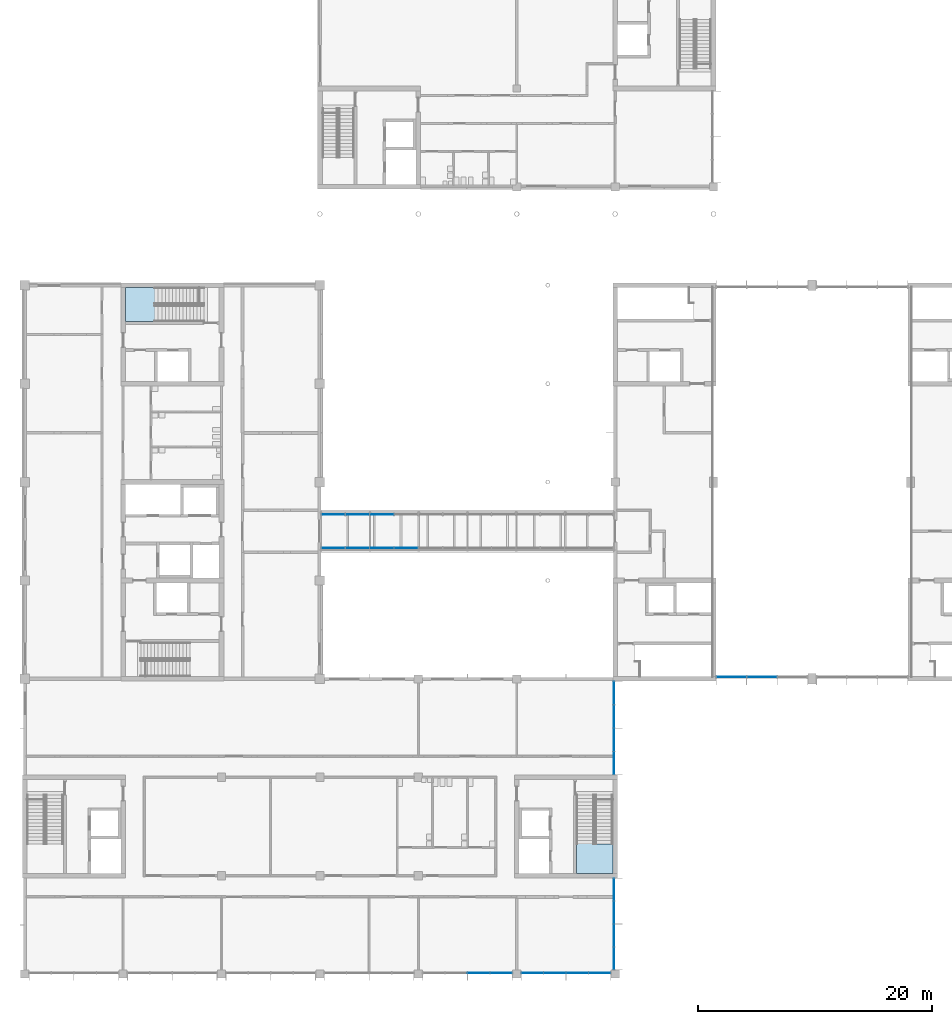
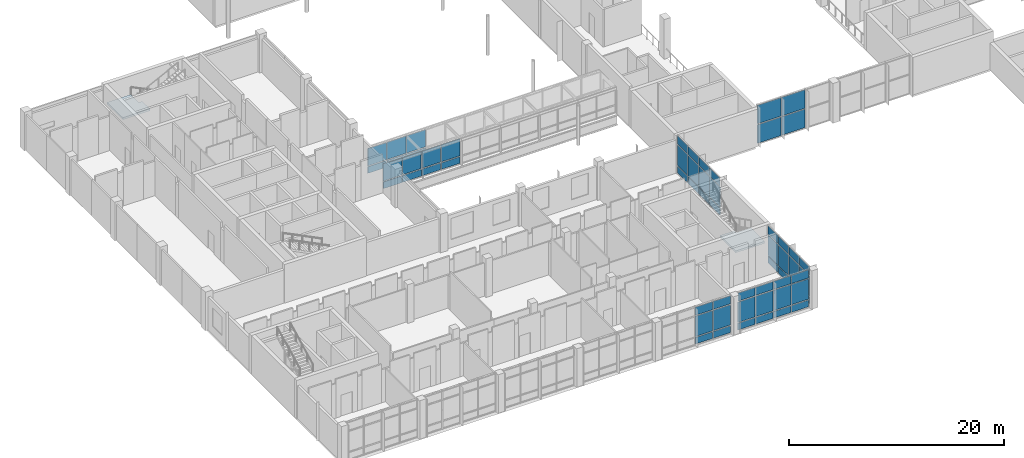
# One storey, part 25 of 70: 60 plates, 2 slabs, 9 elements without a shape of their own.
"""IFC4 building model written with IfcOpenShell, lengths in metres."""

from ifc_helpers import new_model, si_unit, direction, frame, origin, origin_2d, place, context, subcontext, project, spatial, polyline, rectangle, outline, extrude, material, layer, layer_set, type_object, element, aggregate, save


model = new_model("IFC4")

# Units and contexts
model_context = context("Model", 3, precision=1e-05, world=origin(), true_north=direction((0.0, 1.0)))
body_context = subcontext(model_context, "Body", "Model", "MODEL_VIEW")
ifc_project = project(units=[si_unit("LENGTHUNIT", "METRE"), si_unit("AREAUNIT", "SQUARE_METRE"), si_unit("VOLUMEUNIT", "CUBIC_METRE"), si_unit("PLANEANGLEUNIT", "RADIAN"), si_unit("MASSUNIT", "GRAM", prefix="KILO")], contexts=[model_context])

# Site, building, storey
site_placement = place(None, origin())
site = spatial("IfcSite", under=ifc_project, at=site_placement, CompositionType="ELEMENT")
building_placement = place(site_placement, origin())
building = spatial("IfcBuilding", under=site, at=building_placement, Name="Hlaing Beacon Police Headquarters", CompositionType="ELEMENT")
storey_placement = place(building_placement, frame((0.0, 0.0, 5.39990234375)))
storey = spatial("IfcBuildingStorey", under=building, at=storey_placement, Name="L01", CompositionType="ELEMENT", Elevation=5.39990234375)

# Curtain wall, plates
ifc_material_1 = material(Name="Aluminium frame with solar control glazing", Category="aluminium")
curtain_wall_type_1 = type_object("IfcCurtainWallType", Name="Unitised curtain wall 7.70 x 4.37", PredefinedType="NOTDEFINED", material=ifc_material_1)
curtain_wall_1_placement = place(storey_placement, origin())
curtain_wall_1 = element("IfcCurtainWall", 1, at=curtain_wall_1_placement, inside=storey, type_object=curtain_wall_type_1, Name="ENV-CW-L01-S015", PredefinedType="NOTDEFINED")
ifc_material_2 = material(Name="Solar control glazing", Category="glass")
ifc_layer_1 = layer(ifc_material_2, 0.02392578125)
ifc_layer_set_1 = layer_set([ifc_layer_1], Name="Solar control glazing")
plate_type_1 = type_object("IfcPlateType", Name="Clear glazing panel 24", PredefinedType="CURTAIN_PANEL", material=ifc_layer_set_1)
plate_1_placement = place(storey_placement, frame((47.16259765625, 8.5, 3.35009765625), z_axis=(0.0, 0.0, 1.0), x_axis=(1.0, 0.0, 0.0)))
plate_1 = element("IfcPlate", 2, at=plate_1_placement, type_object=plate_type_1, Name="CW-L01-S015 panel 3.3", PredefinedType="CURTAIN_PANEL", context=body_context, shape_type="SweptSolid", body=[
    extrude(rectangle(XDim=1.864990234375, YDim=0.02392578125, at=origin_2d()), origin(), (0.0, 0.0, 1.0), 0.919921875),
])
plate_2_placement = place(storey_placement, frame((49.072509765625, 8.5, 3.35009765625), z_axis=(0.0, 0.0, 1.0), x_axis=(1.0, 0.0, 0.0)))
plate_2 = element("IfcPlate", 3, at=plate_2_placement, type_object=plate_type_1, Name="CW-L01-S015 panel 4.3", PredefinedType="CURTAIN_PANEL", context=body_context, shape_type="SweptSolid", body=[
    extrude(rectangle(XDim=1.8349609375, YDim=0.02392578125, at=origin_2d()), origin(), (0.0, 0.0, 1.0), 0.919921875),
])

curtain_wall_2_placement = place(storey_placement, origin())
curtain_wall_2 = element("IfcCurtainWall", 4, at=curtain_wall_2_placement, inside=storey, type_object=curtain_wall_type_1, Name="ENV-CW-L01-S016", PredefinedType="NOTDEFINED")
plate_3_placement = place(storey_placement, frame((51.7275390625, 8.5, 3.35009765625), z_axis=(0.0, 0.0, 1.0), x_axis=(1.0, 0.0, 0.0)))
plate_3 = element("IfcPlate", 5, at=plate_3_placement, type_object=plate_type_1, Name="CW-L01-S016 panel 1.3", PredefinedType="CURTAIN_PANEL", context=body_context, shape_type="SweptSolid", body=[
    extrude(rectangle(XDim=1.8349609375, YDim=0.02392578125, at=origin_2d()), origin(), (0.0, 0.0, 1.0), 0.919921875),
])
plate_4_placement = place(storey_placement, frame((53.637451171875, 8.5, 3.35009765625), z_axis=(0.0, 0.0, 1.0), x_axis=(1.0, 0.0, 0.0)))
plate_4 = element("IfcPlate", 6, at=plate_4_placement, type_object=plate_type_1, Name="CW-L01-S016 panel 2.3", PredefinedType="CURTAIN_PANEL", context=body_context, shape_type="SweptSolid", body=[
    extrude(rectangle(XDim=1.864990234375, YDim=0.02392578125, at=origin_2d()), origin(), (0.0, 0.0, 1.0), 0.919921875),
])
plate_5_placement = place(storey_placement, frame((55.5625, 8.5, 3.35009765625), z_axis=(0.0, 0.0, 1.0), x_axis=(1.0, 0.0, 0.0)))
plate_5 = element("IfcPlate", 7, at=plate_5_placement, type_object=plate_type_1, Name="CW-L01-S016 panel 3.3", PredefinedType="CURTAIN_PANEL", context=body_context, shape_type="SweptSolid", body=[
    extrude(rectangle(XDim=1.864990234375, YDim=0.02392578125, at=origin_2d()), origin(), (0.0, 0.0, 1.0), 0.919921875),
])
plate_6_placement = place(storey_placement, frame((57.472412109375, 8.5, 3.35009765625), z_axis=(0.0, 0.0, 1.0), x_axis=(1.0, 0.0, 0.0)))
plate_6 = element("IfcPlate", 8, at=plate_6_placement, type_object=plate_type_1, Name="CW-L01-S016 panel 4.3", PredefinedType="CURTAIN_PANEL", context=body_context, shape_type="SweptSolid", body=[
    extrude(rectangle(XDim=1.8349609375, YDim=0.02392578125, at=origin_2d()), origin(), (0.0, 0.0, 1.0), 0.919921875),
])

ifc_material_3 = material(Name="Aluminium frame with solar control glazing", Category="aluminium")
curtain_wall_type_2 = type_object("IfcCurtainWallType", Name="Unitised curtain wall 7.85 x 4.37", PredefinedType="NOTDEFINED", material=ifc_material_3)
curtain_wall_3_placement = place(storey_placement, origin())
curtain_wall_3 = element("IfcCurtainWall", 9, at=curtain_wall_3_placement, inside=storey, type_object=curtain_wall_type_2, Name="ENV-CW-L01-E017", PredefinedType="NOTDEFINED")
plate_7_placement = place(storey_placement, frame((58.699951171875, 9.746337890625, 3.35009765625), z_axis=(0.0, 0.0, 1.0), x_axis=(0.0, 1.0, 0.0)))
plate_7 = element("IfcPlate", 10, at=plate_7_placement, type_object=plate_type_1, Name="CW-L01-E017 panel 1.3", PredefinedType="CURTAIN_PANEL", context=body_context, shape_type="SweptSolid", body=[
    extrude(rectangle(XDim=1.87255859375, YDim=0.02392578125, at=origin_2d()), origin(), (0.0, 0.0, 1.0), 0.919921875),
])
plate_8_placement = place(storey_placement, frame((58.699951171875, 11.69384765625, 3.35009765625), z_axis=(0.0, 0.0, 1.0), x_axis=(0.0, 1.0, 0.0)))
plate_8 = element("IfcPlate", 11, at=plate_8_placement, type_object=plate_type_1, Name="CW-L01-E017 panel 2.3", PredefinedType="CURTAIN_PANEL", context=body_context, shape_type="SweptSolid", body=[
    extrude(rectangle(XDim=1.902587890625, YDim=0.02392578125, at=origin_2d()), origin(), (0.0, 0.0, 1.0), 0.919921875),
])
plate_9_placement = place(storey_placement, frame((58.699951171875, 13.65625, 3.35009765625), z_axis=(0.0, 0.0, 1.0), x_axis=(0.0, 1.0, 0.0)))
plate_9 = element("IfcPlate", 12, at=plate_9_placement, type_object=plate_type_1, Name="CW-L01-E017 panel 3.3", PredefinedType="CURTAIN_PANEL", context=body_context, shape_type="SweptSolid", body=[
    extrude(rectangle(XDim=1.902587890625, YDim=0.02392578125, at=origin_2d()), origin(), (0.0, 0.0, 1.0), 0.919921875),
])
plate_10_placement = place(storey_placement, frame((58.699951171875, 15.603759765625, 3.35009765625), z_axis=(0.0, 0.0, 1.0), x_axis=(0.0, 1.0, 0.0)))
plate_10 = element("IfcPlate", 13, at=plate_10_placement, type_object=plate_type_1, Name="CW-L01-E017 panel 4.3", PredefinedType="CURTAIN_PANEL", context=body_context, shape_type="SweptSolid", body=[
    extrude(rectangle(XDim=1.87255859375, YDim=0.02392578125, at=origin_2d()), origin(), (0.0, 0.0, 1.0), 0.919921875),
])

ifc_material_4 = material(Name="Aluminium frame with solar control glazing", Category="aluminium")
curtain_wall_type_3 = type_object("IfcCurtainWallType", Name="Unitised curtain wall 8.00 x 4.37", PredefinedType="NOTDEFINED", material=ifc_material_4)
curtain_wall_4_placement = place(storey_placement, origin())
curtain_wall_4 = element("IfcCurtainWall", 14, at=curtain_wall_4_placement, inside=storey, type_object=curtain_wall_type_3, Name="ENV-CW-L01-E018", PredefinedType="NOTDEFINED")
plate_11_placement = place(storey_placement, frame((58.699951171875, 26.4150390625, 3.35009765625), z_axis=(0.0, 0.0, 1.0), x_axis=(0.0, 1.0, 0.0)))
plate_11 = element("IfcPlate", 15, at=plate_11_placement, type_object=plate_type_1, Name="CW-L01-E018 panel 1.3", PredefinedType="CURTAIN_PANEL", context=body_context, shape_type="SweptSolid", body=[
    extrude(rectangle(XDim=1.909912109375, YDim=0.02392578125, at=origin_2d()), origin(), (0.0, 0.0, 1.0), 0.919921875),
])
plate_12_placement = place(storey_placement, frame((58.699951171875, 28.39990234375, 3.35009765625), z_axis=(0.0, 0.0, 1.0), x_axis=(0.0, 1.0, 0.0)))
plate_12 = element("IfcPlate", 16, at=plate_12_placement, type_object=plate_type_1, Name="CW-L01-E018 panel 2.3", PredefinedType="CURTAIN_PANEL", context=body_context, shape_type="SweptSolid", body=[
    extrude(rectangle(XDim=1.93994140625, YDim=0.02392578125, at=origin_2d()), origin(), (0.0, 0.0, 1.0), 0.919921875),
])
plate_13_placement = place(storey_placement, frame((58.699951171875, 30.39990234375, 3.35009765625), z_axis=(0.0, 0.0, 1.0), x_axis=(0.0, 1.0, 0.0)))
plate_13 = element("IfcPlate", 17, at=plate_13_placement, type_object=plate_type_1, Name="CW-L01-E018 panel 3.3", PredefinedType="CURTAIN_PANEL", context=body_context, shape_type="SweptSolid", body=[
    extrude(rectangle(XDim=1.93994140625, YDim=0.02392578125, at=origin_2d()), origin(), (0.0, 0.0, 1.0), 0.919921875),
])
plate_14_placement = place(storey_placement, frame((58.699951171875, 32.385009765625, 3.35009765625), z_axis=(0.0, 0.0, 1.0), x_axis=(0.0, 1.0, 0.0)))
plate_14 = element("IfcPlate", 18, at=plate_14_placement, type_object=plate_type_1, Name="CW-L01-E018 panel 4.3", PredefinedType="CURTAIN_PANEL", context=body_context, shape_type="SweptSolid", body=[
    extrude(rectangle(XDim=1.909912109375, YDim=0.02392578125, at=origin_2d()), origin(), (0.0, 0.0, 1.0), 0.919921875),
])

# Plate
ifc_material_5 = material(Name="Solar control glazing", Category="glass")
ifc_layer_2 = layer(ifc_material_5, 0.0439453125)
ifc_layer_set_2 = layer_set([ifc_layer_2], Name="Solar control glazing")
plate_type_2 = type_object("IfcPlateType", Name="Clear glazing panel 44", PredefinedType="CURTAIN_PANEL", material=ifc_layer_set_2)
plate_15_placement = place(storey_placement, frame((47.16259765625, 8.5, 0.9501953125), z_axis=(0.0, 0.0, 1.0), x_axis=(1.0, 0.0, 0.0)))
plate_15 = element("IfcPlate", 19, at=plate_15_placement, type_object=plate_type_2, Name="CW-L01-S015 panel 3.2", PredefinedType="CURTAIN_PANEL", context=body_context, shape_type="SweptSolid", body=[
    extrude(rectangle(XDim=1.864990234375, YDim=0.0439453125, at=origin_2d()), origin(), (0.0, 0.0, 1.0), 2.300048828125),
])

plate_16_placement = place(storey_placement, frame((49.072509765625, 8.5, 0.9501953125), z_axis=(0.0, 0.0, 1.0), x_axis=(1.0, 0.0, 0.0)))
plate_16 = element("IfcPlate", 20, at=plate_16_placement, type_object=plate_type_2, Name="CW-L01-S015 panel 4.2", PredefinedType="CURTAIN_PANEL", context=body_context, shape_type="SweptSolid", body=[
    extrude(rectangle(XDim=1.8349609375, YDim=0.0439453125, at=origin_2d()), origin(), (0.0, 0.0, 1.0), 2.300048828125),
])

plate_17_placement = place(storey_placement, frame((51.7275390625, 8.5, 0.9501953125), z_axis=(0.0, 0.0, 1.0), x_axis=(1.0, 0.0, 0.0)))
plate_17 = element("IfcPlate", 21, at=plate_17_placement, type_object=plate_type_2, Name="CW-L01-S016 panel 1.2", PredefinedType="CURTAIN_PANEL", context=body_context, shape_type="SweptSolid", body=[
    extrude(rectangle(XDim=1.8349609375, YDim=0.0439453125, at=origin_2d()), origin(), (0.0, 0.0, 1.0), 2.300048828125),
])

plate_18_placement = place(storey_placement, frame((53.637451171875, 8.5, 0.9501953125), z_axis=(0.0, 0.0, 1.0), x_axis=(1.0, 0.0, 0.0)))
plate_18 = element("IfcPlate", 22, at=plate_18_placement, type_object=plate_type_2, Name="CW-L01-S016 panel 2.2", PredefinedType="CURTAIN_PANEL", context=body_context, shape_type="SweptSolid", body=[
    extrude(rectangle(XDim=1.864990234375, YDim=0.0439453125, at=origin_2d()), origin(), (0.0, 0.0, 1.0), 2.300048828125),
])

plate_19_placement = place(storey_placement, frame((55.5625, 8.5, 0.9501953125), z_axis=(0.0, 0.0, 1.0), x_axis=(1.0, 0.0, 0.0)))
plate_19 = element("IfcPlate", 23, at=plate_19_placement, type_object=plate_type_2, Name="CW-L01-S016 panel 3.2", PredefinedType="CURTAIN_PANEL", context=body_context, shape_type="SweptSolid", body=[
    extrude(rectangle(XDim=1.864990234375, YDim=0.0439453125, at=origin_2d()), origin(), (0.0, 0.0, 1.0), 2.300048828125),
])

plate_20_placement = place(storey_placement, frame((57.472412109375, 8.5, 0.9501953125), z_axis=(0.0, 0.0, 1.0), x_axis=(1.0, 0.0, 0.0)))
plate_20 = element("IfcPlate", 24, at=plate_20_placement, type_object=plate_type_2, Name="CW-L01-S016 panel 4.2", PredefinedType="CURTAIN_PANEL", context=body_context, shape_type="SweptSolid", body=[
    extrude(rectangle(XDim=1.8349609375, YDim=0.0439453125, at=origin_2d()), origin(), (0.0, 0.0, 1.0), 2.300048828125),
])

plate_21_placement = place(storey_placement, frame((58.699951171875, 9.746337890625, 0.9501953125), z_axis=(0.0, 0.0, 1.0), x_axis=(0.0, 1.0, 0.0)))
plate_21 = element("IfcPlate", 25, at=plate_21_placement, type_object=plate_type_2, Name="CW-L01-E017 panel 1.2", PredefinedType="CURTAIN_PANEL", context=body_context, shape_type="SweptSolid", body=[
    extrude(rectangle(XDim=1.87255859375, YDim=0.0439453125, at=origin_2d()), origin(), (0.0, 0.0, 1.0), 2.300048828125),
])

plate_22_placement = place(storey_placement, frame((58.699951171875, 11.69384765625, 0.9501953125), z_axis=(0.0, 0.0, 1.0), x_axis=(0.0, 1.0, 0.0)))
plate_22 = element("IfcPlate", 26, at=plate_22_placement, type_object=plate_type_2, Name="CW-L01-E017 panel 2.2", PredefinedType="CURTAIN_PANEL", context=body_context, shape_type="SweptSolid", body=[
    extrude(rectangle(XDim=1.902587890625, YDim=0.0439453125, at=origin_2d()), origin(), (0.0, 0.0, 1.0), 2.300048828125),
])

plate_23_placement = place(storey_placement, frame((58.699951171875, 13.65625, 0.9501953125), z_axis=(0.0, 0.0, 1.0), x_axis=(0.0, 1.0, 0.0)))
plate_23 = element("IfcPlate", 27, at=plate_23_placement, type_object=plate_type_2, Name="CW-L01-E017 panel 3.2", PredefinedType="CURTAIN_PANEL", context=body_context, shape_type="SweptSolid", body=[
    extrude(rectangle(XDim=1.902587890625, YDim=0.0439453125, at=origin_2d()), origin(), (0.0, 0.0, 1.0), 2.300048828125),
])

plate_24_placement = place(storey_placement, frame((58.699951171875, 15.603759765625, 0.9501953125), z_axis=(0.0, 0.0, 1.0), x_axis=(0.0, 1.0, 0.0)))
plate_24 = element("IfcPlate", 28, at=plate_24_placement, type_object=plate_type_2, Name="CW-L01-E017 panel 4.2", PredefinedType="CURTAIN_PANEL", context=body_context, shape_type="SweptSolid", body=[
    extrude(rectangle(XDim=1.87255859375, YDim=0.0439453125, at=origin_2d()), origin(), (0.0, 0.0, 1.0), 2.300048828125),
])

plate_25_placement = place(storey_placement, frame((58.699951171875, 26.4150390625, 0.9501953125), z_axis=(0.0, 0.0, 1.0), x_axis=(0.0, 1.0, 0.0)))
plate_25 = element("IfcPlate", 29, at=plate_25_placement, type_object=plate_type_2, Name="CW-L01-E018 panel 1.2", PredefinedType="CURTAIN_PANEL", context=body_context, shape_type="SweptSolid", body=[
    extrude(rectangle(XDim=1.909912109375, YDim=0.0439453125, at=origin_2d()), origin(), (0.0, 0.0, 1.0), 2.300048828125),
])

plate_26_placement = place(storey_placement, frame((58.699951171875, 28.39990234375, 0.9501953125), z_axis=(0.0, 0.0, 1.0), x_axis=(0.0, 1.0, 0.0)))
plate_26 = element("IfcPlate", 30, at=plate_26_placement, type_object=plate_type_2, Name="CW-L01-E018 panel 2.2", PredefinedType="CURTAIN_PANEL", context=body_context, shape_type="SweptSolid", body=[
    extrude(rectangle(XDim=1.93994140625, YDim=0.0439453125, at=origin_2d()), origin(), (0.0, 0.0, 1.0), 2.300048828125),
])

plate_27_placement = place(storey_placement, frame((58.699951171875, 30.39990234375, 0.9501953125), z_axis=(0.0, 0.0, 1.0), x_axis=(0.0, 1.0, 0.0)))
plate_27 = element("IfcPlate", 31, at=plate_27_placement, type_object=plate_type_2, Name="CW-L01-E018 panel 3.2", PredefinedType="CURTAIN_PANEL", context=body_context, shape_type="SweptSolid", body=[
    extrude(rectangle(XDim=1.93994140625, YDim=0.0439453125, at=origin_2d()), origin(), (0.0, 0.0, 1.0), 2.300048828125),
])

plate_28_placement = place(storey_placement, frame((58.699951171875, 32.385009765625, 0.9501953125), z_axis=(0.0, 0.0, 1.0), x_axis=(0.0, 1.0, 0.0)))
plate_28 = element("IfcPlate", 32, at=plate_28_placement, type_object=plate_type_2, Name="CW-L01-E018 panel 4.2", PredefinedType="CURTAIN_PANEL", context=body_context, shape_type="SweptSolid", body=[
    extrude(rectangle(XDim=1.909912109375, YDim=0.0439453125, at=origin_2d()), origin(), (0.0, 0.0, 1.0), 2.300048828125),
])

# Curtain wall, plates
ifc_material_6 = material(Name="Aluminium frame with solar control glazing", Category="aluminium")
curtain_wall_type_4 = type_object("IfcCurtainWallType", Name="Unitised curtain wall 24.98 x 3.00", PredefinedType="NOTDEFINED", material=ifc_material_6)
curtain_wall_5_placement = place(storey_placement, origin())
curtain_wall_5 = element("IfcCurtainWall", 33, at=curtain_wall_5_placement, inside=storey, type_object=curtain_wall_type_4, Name="ENV-BG-BR1-A-32", PredefinedType="NOTDEFINED")
plate_29_placement = place(storey_placement, frame((34.730712890625, 44.776123046875, 0.9501953125), z_axis=(0.0, 0.0, 1.0), x_axis=(1.0, 0.0, 0.0)))
plate_29 = element("IfcPlate", 34, at=plate_29_placement, type_object=plate_type_2, Name="BG-BR1-A-32 panel 1.2", PredefinedType="CURTAIN_PANEL", context=body_context, shape_type="SweptSolid", body=[
    extrude(rectangle(XDim=1.9912109375, YDim=0.0439453125, at=origin_2d()), origin(), (0.0, 0.0, 1.0), 1.949951171875),
])
plate_30_placement = place(storey_placement, frame((36.796875, 44.776123046875, 0.9501953125), z_axis=(0.0, 0.0, 1.0), x_axis=(1.0, 0.0, 0.0)))
plate_30 = element("IfcPlate", 35, at=plate_30_placement, type_object=plate_type_2, Name="BG-BR1-A-32 panel 2.2", PredefinedType="CURTAIN_PANEL", context=body_context, shape_type="SweptSolid", body=[
    extrude(rectangle(XDim=2.021240234375, YDim=0.0439453125, at=origin_2d()), origin(), (0.0, 0.0, 1.0), 1.949951171875),
])
plate_31_placement = place(storey_placement, frame((38.878173828125, 44.776123046875, 0.9501953125), z_axis=(0.0, 0.0, 1.0), x_axis=(1.0, 0.0, 0.0)))
plate_31 = element("IfcPlate", 36, at=plate_31_placement, type_object=plate_type_2, Name="BG-BR1-A-32 panel 3.2", PredefinedType="CURTAIN_PANEL", context=body_context, shape_type="SweptSolid", body=[
    extrude(rectangle(XDim=2.021240234375, YDim=0.0439453125, at=origin_2d()), origin(), (0.0, 0.0, 1.0), 1.949951171875),
])
plate_32_placement = place(storey_placement, frame((40.95947265625, 44.776123046875, 0.9501953125), z_axis=(0.0, 0.0, 1.0), x_axis=(1.0, 0.0, 0.0)))
plate_32 = element("IfcPlate", 37, at=plate_32_placement, type_object=plate_type_2, Name="BG-BR1-A-32 panel 4.2", PredefinedType="CURTAIN_PANEL", context=body_context, shape_type="SweptSolid", body=[
    extrude(rectangle(XDim=2.021240234375, YDim=0.0439453125, at=origin_2d()), origin(), (0.0, 0.0, 1.0), 1.949951171875),
])

curtain_wall_6_placement = place(storey_placement, origin())
curtain_wall_6 = element("IfcCurtainWall", 38, at=curtain_wall_6_placement, inside=storey, type_object=curtain_wall_type_4, Name="ENV-BG-BR1-B-33", PredefinedType="NOTDEFINED")
plate_33_placement = place(storey_placement, frame((34.730712890625, 47.623779296875, 0.9501953125), z_axis=(0.0, 0.0, 1.0), x_axis=(1.0, 0.0, 0.0)))
plate_33 = element("IfcPlate", 39, at=plate_33_placement, type_object=plate_type_2, Name="BG-BR1-B-33 panel 1.2", PredefinedType="CURTAIN_PANEL", context=body_context, shape_type="SweptSolid", body=[
    extrude(rectangle(XDim=1.9912109375, YDim=0.0439453125, at=origin_2d()), origin(), (0.0, 0.0, 1.0), 1.949951171875),
])
plate_34_placement = place(storey_placement, frame((36.796875, 47.623779296875, 0.9501953125), z_axis=(0.0, 0.0, 1.0), x_axis=(1.0, 0.0, 0.0)))
plate_34 = element("IfcPlate", 40, at=plate_34_placement, type_object=plate_type_2, Name="BG-BR1-B-33 panel 2.2", PredefinedType="CURTAIN_PANEL", context=body_context, shape_type="SweptSolid", body=[
    extrude(rectangle(XDim=2.021240234375, YDim=0.0439453125, at=origin_2d()), origin(), (0.0, 0.0, 1.0), 1.949951171875),
])
plate_35_placement = place(storey_placement, frame((38.878173828125, 47.623779296875, 0.9501953125), z_axis=(0.0, 0.0, 1.0), x_axis=(1.0, 0.0, 0.0)))
plate_35 = element("IfcPlate", 41, at=plate_35_placement, type_object=plate_type_2, Name="BG-BR1-B-33 panel 3.2", PredefinedType="CURTAIN_PANEL", context=body_context, shape_type="SweptSolid", body=[
    extrude(rectangle(XDim=2.021240234375, YDim=0.0439453125, at=origin_2d()), origin(), (0.0, 0.0, 1.0), 1.949951171875),
])
ifc_material_7 = material(Name="Insulated aluminium spandrel", Category="aluminium")
ifc_layer_3 = layer(ifc_material_7, 0.0400390625)
ifc_layer_set_3 = layer_set([ifc_layer_3], Name="Insulated aluminium spandrel")
plate_type_3 = type_object("IfcPlateType", Name="Insulated spandrel panel 40", PredefinedType="CURTAIN_PANEL", material=ifc_layer_set_3)
plate_36_placement = place(storey_placement, frame((34.730712890625, 47.623779296875, 0.10009765625), z_axis=(0.0, 0.0, 1.0), x_axis=(1.0, 0.0, 0.0)))
plate_36 = element("IfcPlate", 42, at=plate_36_placement, type_object=plate_type_3, Name="BG-BR1-B-33 panel 1.1", PredefinedType="CURTAIN_PANEL", context=body_context, shape_type="SweptSolid", body=[
    extrude(rectangle(XDim=1.9912109375, YDim=0.0400390625, at=origin_2d()), origin(), (0.0, 0.0, 1.0), 0.75),
])
plate_37_placement = place(storey_placement, frame((36.796875, 47.623779296875, 0.10009765625), z_axis=(0.0, 0.0, 1.0), x_axis=(1.0, 0.0, 0.0)))
plate_37 = element("IfcPlate", 43, at=plate_37_placement, type_object=plate_type_3, Name="BG-BR1-B-33 panel 2.1", PredefinedType="CURTAIN_PANEL", context=body_context, shape_type="SweptSolid", body=[
    extrude(rectangle(XDim=2.021240234375, YDim=0.0400390625, at=origin_2d()), origin(), (0.0, 0.0, 1.0), 0.75),
])
plate_38_placement = place(storey_placement, frame((38.878173828125, 47.623779296875, 0.10009765625), z_axis=(0.0, 0.0, 1.0), x_axis=(1.0, 0.0, 0.0)))
plate_38 = element("IfcPlate", 44, at=plate_38_placement, type_object=plate_type_3, Name="BG-BR1-B-33 panel 3.1", PredefinedType="CURTAIN_PANEL", context=body_context, shape_type="SweptSolid", body=[
    extrude(rectangle(XDim=2.021240234375, YDim=0.0400390625, at=origin_2d()), origin(), (0.0, 0.0, 1.0), 0.75),
])
aggregate(curtain_wall_6, [plate_36, plate_33, plate_37, plate_34, plate_38, plate_35])

# Plate
ifc_material_8 = material(Name="Insulated aluminium spandrel", Category="aluminium")
ifc_layer_4 = layer(ifc_material_8, 0.080078125)
ifc_layer_set_4 = layer_set([ifc_layer_4], Name="Insulated aluminium spandrel")
plate_type_4 = type_object("IfcPlateType", Name="Insulated spandrel panel 80", PredefinedType="CURTAIN_PANEL", material=ifc_layer_set_4)
plate_39_placement = place(storey_placement, frame((34.730712890625, 44.776123046875, 0.10009765625), z_axis=(0.0, 0.0, 1.0), x_axis=(1.0, 0.0, 0.0)))
plate_39 = element("IfcPlate", 45, at=plate_39_placement, type_object=plate_type_4, Name="BG-BR1-A-32 panel 1.1", PredefinedType="CURTAIN_PANEL", context=body_context, shape_type="SweptSolid", body=[
    extrude(rectangle(XDim=1.9912109375, YDim=0.080078125, at=origin_2d()), origin(), (0.0, 0.0, 1.0), 0.75),
])

plate_40_placement = place(storey_placement, frame((36.796875, 44.776123046875, 0.10009765625), z_axis=(0.0, 0.0, 1.0), x_axis=(1.0, 0.0, 0.0)))
plate_40 = element("IfcPlate", 46, at=plate_40_placement, type_object=plate_type_4, Name="BG-BR1-A-32 panel 2.1", PredefinedType="CURTAIN_PANEL", context=body_context, shape_type="SweptSolid", body=[
    extrude(rectangle(XDim=2.021240234375, YDim=0.080078125, at=origin_2d()), origin(), (0.0, 0.0, 1.0), 0.75),
])

plate_41_placement = place(storey_placement, frame((38.878173828125, 44.776123046875, 0.10009765625), z_axis=(0.0, 0.0, 1.0), x_axis=(1.0, 0.0, 0.0)))
plate_41 = element("IfcPlate", 47, at=plate_41_placement, type_object=plate_type_4, Name="BG-BR1-A-32 panel 3.1", PredefinedType="CURTAIN_PANEL", context=body_context, shape_type="SweptSolid", body=[
    extrude(rectangle(XDim=2.021240234375, YDim=0.080078125, at=origin_2d()), origin(), (0.0, 0.0, 1.0), 0.75),
])

plate_42_placement = place(storey_placement, frame((40.95947265625, 44.776123046875, 0.10009765625), z_axis=(0.0, 0.0, 1.0), x_axis=(1.0, 0.0, 0.0)))
plate_42 = element("IfcPlate", 48, at=plate_42_placement, type_object=plate_type_4, Name="BG-BR1-A-32 panel 4.1", PredefinedType="CURTAIN_PANEL", context=body_context, shape_type="SweptSolid", body=[
    extrude(rectangle(XDim=2.021240234375, YDim=0.080078125, at=origin_2d()), origin(), (0.0, 0.0, 1.0), 0.75),
])

aggregate(curtain_wall_5, [plate_39, plate_29, plate_40, plate_30, plate_41, plate_31, plate_42, plate_32])

# Curtain wall, plates
ifc_material_9 = material(Name="Aluminium frame with solar control glazing", Category="aluminium")
curtain_wall_type_5 = type_object("IfcCurtainWallType", Name="Structural glazed gable wall 7.85 x 4.50", PredefinedType="NOTDEFINED", material=ifc_material_9)
curtain_wall_7_placement = place(storey_placement, origin())
curtain_wall_7 = element("IfcCurtainWall", 49, at=curtain_wall_7_placement, inside=storey, type_object=curtain_wall_type_5, Name="ENV-CW-L01-S009", PredefinedType="NOTDEFINED")
ifc_material_10 = material(Name="Laminated solar control glazing", Category="glass")
ifc_layer_5 = layer(ifc_material_10, 0.0439453125)
ifc_layer_set_5 = layer_set([ifc_layer_5], Name="Laminated solar control glazing")
plate_type_5 = type_object("IfcPlateType", Name="Laminated glazing panel 44", PredefinedType="CURTAIN_PANEL", material=ifc_layer_set_5)
plate_43_placement = place(storey_placement, frame((68.728271484375, 33.75, 0.10009765625), z_axis=(0.0, 0.0, 1.0), x_axis=(1.0, 0.0, 0.0)))
plate_43 = element("IfcPlate", 50, at=plate_43_placement, type_object=plate_type_5, Name="CW-L01-S009 panel 1.1", PredefinedType="CURTAIN_PANEL", context=body_context, shape_type="SweptSolid", body=[
    extrude(rectangle(XDim=2.49658203125, YDim=0.0439453125, at=origin_2d()), origin(), (0.0, 0.0, 1.0), 2.10009765625),
])
plate_44_placement = place(storey_placement, frame((68.728271484375, 33.75, 2.300048828125), z_axis=(0.0, 0.0, 1.0), x_axis=(1.0, 0.0, 0.0)))
plate_44 = element("IfcPlate", 51, at=plate_44_placement, type_object=plate_type_5, Name="CW-L01-S009 panel 1.2", PredefinedType="CURTAIN_PANEL", context=body_context, shape_type="SweptSolid", body=[
    extrude(rectangle(XDim=2.49658203125, YDim=0.0439453125, at=origin_2d()), origin(), (0.0, 0.0, 1.0), 2.10009765625),
])
plate_45_placement = place(storey_placement, frame((71.324951171875, 33.75, 0.10009765625), z_axis=(0.0, 0.0, 1.0), x_axis=(1.0, 0.0, 0.0)))
plate_45 = element("IfcPlate", 52, at=plate_45_placement, type_object=plate_type_5, Name="CW-L01-S009 panel 2.1", PredefinedType="CURTAIN_PANEL", context=body_context, shape_type="SweptSolid", body=[
    extrude(rectangle(XDim=2.53662109375, YDim=0.0439453125, at=origin_2d()), origin(), (0.0, 0.0, 1.0), 2.10009765625),
])
plate_46_placement = place(storey_placement, frame((71.324951171875, 33.75, 2.300048828125), z_axis=(0.0, 0.0, 1.0), x_axis=(1.0, 0.0, 0.0)))
plate_46 = element("IfcPlate", 53, at=plate_46_placement, type_object=plate_type_5, Name="CW-L01-S009 panel 2.2", PredefinedType="CURTAIN_PANEL", context=body_context, shape_type="SweptSolid", body=[
    extrude(rectangle(XDim=2.53662109375, YDim=0.0439453125, at=origin_2d()), origin(), (0.0, 0.0, 1.0), 2.10009765625),
])
aggregate(curtain_wall_7, [plate_43, plate_44, plate_45, plate_46])

# Stair, slab
ifc_material_11 = material(Name="Concrete C40/50", Category="concrete")
stair_type_1 = type_object("IfcStairType", Name="Half-turn stair 1500 wide, 4500 rise", PredefinedType="HALF_TURN_STAIR", material=ifc_material_11)
stair_1_placement = place(storey_placement, origin())
stair_1 = element("IfcStair", 54, at=stair_1_placement, inside=storey, type_object=stair_type_1, Name="Stair ST-K", PredefinedType="HALF_TURN_STAIR")
ifc_material_12 = material(Name="Concrete C40/50", Category="concrete")
ifc_layer_6 = layer(ifc_material_12, 0.219970703125)
ifc_layer_set_6 = layer_set([ifc_layer_6], Name="Concrete C40/50")
slab_type = type_object("IfcSlabType", Name="Stair landing 220", PredefinedType="LANDING", material=ifc_layer_set_6)
slab_1_placement = place(storey_placement, frame((0.0, 0.0, 2.030029296875)))
slab_1 = element("IfcSlab", 55, at=slab_1_placement, type_object=slab_type, Name="ST-K landing 1", PredefinedType="LANDING", context=body_context, shape_type="SweptSolid", body=[
    extrude(outline(polyline([(58.60009765625, 19.510009765625), (58.60009765625, 17.0), (55.5, 17.0), (55.5, 19.89990234375), (57.0, 19.89990234375), (57.0, 19.510009765625), (58.60009765625, 19.510009765625)])), origin(), (0.0, 0.0, 1.0), 0.219970703125),
])
aggregate(stair_1, [slab_1])

ifc_material_13 = material(Name="Concrete C40/50", Category="concrete")
stair_type_2 = type_object("IfcStairType", Name="Half-turn stair 1400 wide, 4500 rise", PredefinedType="HALF_TURN_STAIR", material=ifc_material_13)
stair_2_placement = place(storey_placement, origin())
stair_2 = element("IfcStair", 56, at=stair_2_placement, inside=storey, type_object=stair_type_2, Name="Stair ST-P", PredefinedType="HALF_TURN_STAIR")
slab_2_placement = place(storey_placement, frame((0.0, 0.0, 2.030029296875)))
slab_2 = element("IfcSlab", 57, at=slab_2_placement, type_object=slab_type, Name="ST-P landing 1", PredefinedType="LANDING", context=body_context, shape_type="SweptSolid", body=[
    extrude(outline(polyline([(19.510009765625, 67.0), (17.0, 67.0), (17.0, 64.10009765625), (19.89990234375, 64.10009765625), (19.89990234375, 65.5), (19.510009765625, 65.5), (19.510009765625, 67.0)])), origin(), (0.0, 0.0, 1.0), 0.219970703125),
])
aggregate(stair_2, [slab_2])

# Plate
ifc_material_14 = material(Name="Terracotta ribbed cladding", Category="masonry")
ifc_layer_7 = layer(ifc_material_14, 0.06005859375)
ifc_layer_set_7 = layer_set([ifc_layer_7], Name="Terracotta ribbed cladding")
plate_type_6 = type_object("IfcPlateType", Name="Terracotta ribbed spandrel panel 60", PredefinedType="CURTAIN_PANEL", material=ifc_layer_set_7)
plate_47_placement = place(storey_placement, frame((47.16259765625, 8.5, 0.10009765625), z_axis=(0.0, 0.0, 1.0), x_axis=(1.0, 0.0, 0.0)))
plate_47 = element("IfcPlate", 58, at=plate_47_placement, type_object=plate_type_6, Name="CW-L01-S015 panel 3.1", PredefinedType="CURTAIN_PANEL", context=body_context, shape_type="SweptSolid", body=[
    extrude(rectangle(XDim=1.864990234375, YDim=0.06005859375, at=origin_2d()), origin(), (0.0, 0.0, 1.0), 0.75),
])

plate_48_placement = place(storey_placement, frame((49.072509765625, 8.5, 0.10009765625), z_axis=(0.0, 0.0, 1.0), x_axis=(1.0, 0.0, 0.0)))
plate_48 = element("IfcPlate", 59, at=plate_48_placement, type_object=plate_type_6, Name="CW-L01-S015 panel 4.1", PredefinedType="CURTAIN_PANEL", context=body_context, shape_type="SweptSolid", body=[
    extrude(rectangle(XDim=1.8349609375, YDim=0.06005859375, at=origin_2d()), origin(), (0.0, 0.0, 1.0), 0.75),
])

aggregate(curtain_wall_1, [plate_47, plate_15, plate_1, plate_48, plate_16, plate_2])

plate_49_placement = place(storey_placement, frame((51.7275390625, 8.5, 0.10009765625), z_axis=(0.0, 0.0, 1.0), x_axis=(1.0, 0.0, 0.0)))
plate_49 = element("IfcPlate", 60, at=plate_49_placement, type_object=plate_type_6, Name="CW-L01-S016 panel 1.1", PredefinedType="CURTAIN_PANEL", context=body_context, shape_type="SweptSolid", body=[
    extrude(rectangle(XDim=1.8349609375, YDim=0.06005859375, at=origin_2d()), origin(), (0.0, 0.0, 1.0), 0.75),
])

plate_50_placement = place(storey_placement, frame((53.637451171875, 8.5, 0.10009765625), z_axis=(0.0, 0.0, 1.0), x_axis=(1.0, 0.0, 0.0)))
plate_50 = element("IfcPlate", 61, at=plate_50_placement, type_object=plate_type_6, Name="CW-L01-S016 panel 2.1", PredefinedType="CURTAIN_PANEL", context=body_context, shape_type="SweptSolid", body=[
    extrude(rectangle(XDim=1.864990234375, YDim=0.06005859375, at=origin_2d()), origin(), (0.0, 0.0, 1.0), 0.75),
])

plate_51_placement = place(storey_placement, frame((55.5625, 8.5, 0.10009765625), z_axis=(0.0, 0.0, 1.0), x_axis=(1.0, 0.0, 0.0)))
plate_51 = element("IfcPlate", 62, at=plate_51_placement, type_object=plate_type_6, Name="CW-L01-S016 panel 3.1", PredefinedType="CURTAIN_PANEL", context=body_context, shape_type="SweptSolid", body=[
    extrude(rectangle(XDim=1.864990234375, YDim=0.06005859375, at=origin_2d()), origin(), (0.0, 0.0, 1.0), 0.75),
])

plate_52_placement = place(storey_placement, frame((57.472412109375, 8.5, 0.10009765625), z_axis=(0.0, 0.0, 1.0), x_axis=(1.0, 0.0, 0.0)))
plate_52 = element("IfcPlate", 63, at=plate_52_placement, type_object=plate_type_6, Name="CW-L01-S016 panel 4.1", PredefinedType="CURTAIN_PANEL", context=body_context, shape_type="SweptSolid", body=[
    extrude(rectangle(XDim=1.8349609375, YDim=0.06005859375, at=origin_2d()), origin(), (0.0, 0.0, 1.0), 0.75),
])

aggregate(curtain_wall_2, [plate_49, plate_17, plate_3, plate_50, plate_18, plate_4, plate_51, plate_19, plate_5, plate_52, plate_20, plate_6])

plate_53_placement = place(storey_placement, frame((58.699951171875, 9.746337890625, 0.10009765625), z_axis=(0.0, 0.0, 1.0), x_axis=(0.0, 1.0, 0.0)))
plate_53 = element("IfcPlate", 64, at=plate_53_placement, type_object=plate_type_6, Name="CW-L01-E017 panel 1.1", PredefinedType="CURTAIN_PANEL", context=body_context, shape_type="SweptSolid", body=[
    extrude(rectangle(XDim=1.87255859375, YDim=0.06005859375, at=origin_2d()), origin(), (0.0, 0.0, 1.0), 0.75),
])

plate_54_placement = place(storey_placement, frame((58.699951171875, 11.69384765625, 0.10009765625), z_axis=(0.0, 0.0, 1.0), x_axis=(0.0, 1.0, 0.0)))
plate_54 = element("IfcPlate", 65, at=plate_54_placement, type_object=plate_type_6, Name="CW-L01-E017 panel 2.1", PredefinedType="CURTAIN_PANEL", context=body_context, shape_type="SweptSolid", body=[
    extrude(rectangle(XDim=1.902587890625, YDim=0.06005859375, at=origin_2d()), origin(), (0.0, 0.0, 1.0), 0.75),
])

plate_55_placement = place(storey_placement, frame((58.699951171875, 13.65625, 0.10009765625), z_axis=(0.0, 0.0, 1.0), x_axis=(0.0, 1.0, 0.0)))
plate_55 = element("IfcPlate", 66, at=plate_55_placement, type_object=plate_type_6, Name="CW-L01-E017 panel 3.1", PredefinedType="CURTAIN_PANEL", context=body_context, shape_type="SweptSolid", body=[
    extrude(rectangle(XDim=1.902587890625, YDim=0.06005859375, at=origin_2d()), origin(), (0.0, 0.0, 1.0), 0.75),
])

plate_56_placement = place(storey_placement, frame((58.699951171875, 15.603759765625, 0.10009765625), z_axis=(0.0, 0.0, 1.0), x_axis=(0.0, 1.0, 0.0)))
plate_56 = element("IfcPlate", 67, at=plate_56_placement, type_object=plate_type_6, Name="CW-L01-E017 panel 4.1", PredefinedType="CURTAIN_PANEL", context=body_context, shape_type="SweptSolid", body=[
    extrude(rectangle(XDim=1.87255859375, YDim=0.06005859375, at=origin_2d()), origin(), (0.0, 0.0, 1.0), 0.75),
])

aggregate(curtain_wall_3, [plate_53, plate_21, plate_7, plate_54, plate_22, plate_8, plate_55, plate_23, plate_9, plate_56, plate_24, plate_10])

plate_57_placement = place(storey_placement, frame((58.699951171875, 26.4150390625, 0.10009765625), z_axis=(0.0, 0.0, 1.0), x_axis=(0.0, 1.0, 0.0)))
plate_57 = element("IfcPlate", 68, at=plate_57_placement, type_object=plate_type_6, Name="CW-L01-E018 panel 1.1", PredefinedType="CURTAIN_PANEL", context=body_context, shape_type="SweptSolid", body=[
    extrude(rectangle(XDim=1.909912109375, YDim=0.06005859375, at=origin_2d()), origin(), (0.0, 0.0, 1.0), 0.75),
])

plate_58_placement = place(storey_placement, frame((58.699951171875, 28.39990234375, 0.10009765625), z_axis=(0.0, 0.0, 1.0), x_axis=(0.0, 1.0, 0.0)))
plate_58 = element("IfcPlate", 69, at=plate_58_placement, type_object=plate_type_6, Name="CW-L01-E018 panel 2.1", PredefinedType="CURTAIN_PANEL", context=body_context, shape_type="SweptSolid", body=[
    extrude(rectangle(XDim=1.93994140625, YDim=0.06005859375, at=origin_2d()), origin(), (0.0, 0.0, 1.0), 0.75),
])

plate_59_placement = place(storey_placement, frame((58.699951171875, 30.39990234375, 0.10009765625), z_axis=(0.0, 0.0, 1.0), x_axis=(0.0, 1.0, 0.0)))
plate_59 = element("IfcPlate", 70, at=plate_59_placement, type_object=plate_type_6, Name="CW-L01-E018 panel 3.1", PredefinedType="CURTAIN_PANEL", context=body_context, shape_type="SweptSolid", body=[
    extrude(rectangle(XDim=1.93994140625, YDim=0.06005859375, at=origin_2d()), origin(), (0.0, 0.0, 1.0), 0.75),
])

plate_60_placement = place(storey_placement, frame((58.699951171875, 32.385009765625, 0.10009765625), z_axis=(0.0, 0.0, 1.0), x_axis=(0.0, 1.0, 0.0)))
plate_60 = element("IfcPlate", 71, at=plate_60_placement, type_object=plate_type_6, Name="CW-L01-E018 panel 4.1", PredefinedType="CURTAIN_PANEL", context=body_context, shape_type="SweptSolid", body=[
    extrude(rectangle(XDim=1.909912109375, YDim=0.06005859375, at=origin_2d()), origin(), (0.0, 0.0, 1.0), 0.75),
])

aggregate(curtain_wall_4, [plate_57, plate_25, plate_11, plate_58, plate_26, plate_12, plate_59, plate_27, plate_13, plate_60, plate_28, plate_14])

save(model, "model.ifc")
